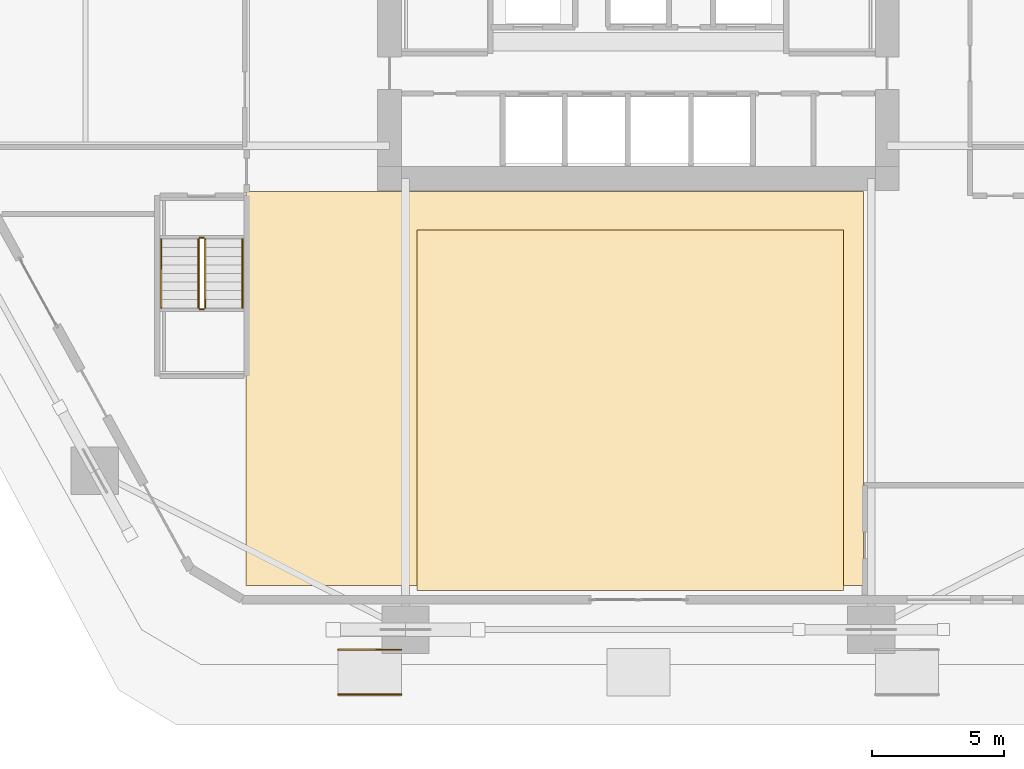
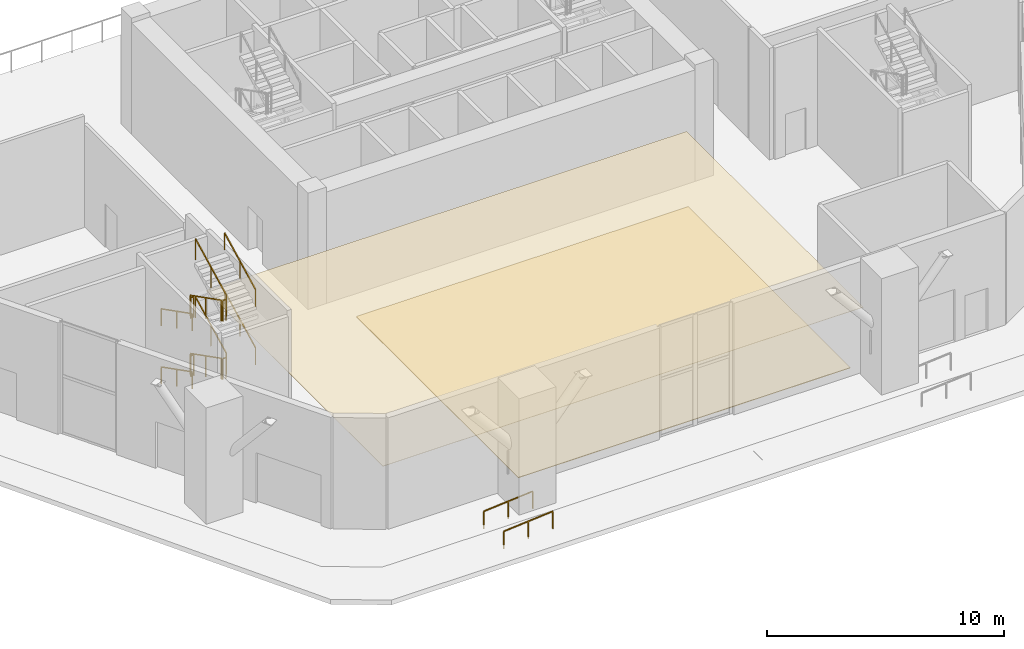
# One storey, part 19 of 22: 14 railings, 2 coverings.
"""IFC4 building model written with IfcOpenShell, lengths in metres."""

import ifcopenshell
import ifcopenshell.guid

model = None  # the IFC model being written
_history = None  # IfcOwnerHistory: only IFC2X3 demands one
_inside = {}  # id of a spatial element -> (the spatial element, [elements in it])
_under = {}  # id of a project, library or spatial element -> (it, [spatial elements below it])
_declared = {}  # id of a project -> (the project, [libraries it declares])
_typed = {}  # id of a type object -> (the type object, [elements of that type])
_made_of = {}  # id of a material, layer set ... -> (it, [elements and type objects made of it])


def new_model(schema):
    """Start an empty IFC model of exactly this schema.

    Asked for "IFC4X3", IfcOpenShell would pick the latest addendum, in which some entities
    have other attributes; the version numbers below select the first issue.
    IFC2X3 requires an IfcOwnerHistory on every rooted entity: one is made here for all.
    """
    global model, _history
    if schema == "IFC4X3":
        model = ifcopenshell.file(schema_version=(4, 3, 0, 0))
    else:
        model = ifcopenshell.file(schema=schema)
    _inside.clear()
    _under.clear()
    _declared.clear()
    _typed.clear()
    _made_of.clear()
    _history = None
    if model.schema == "IFC2X3":
        org = make("IfcOrganization", Name="unknown")
        user = make(
            "IfcPersonAndOrganization",
            ThePerson=make("IfcPerson", FamilyName="unknown"),
            TheOrganization=org,
        )
        app = make(
            "IfcApplication",
            ApplicationDeveloper=org,
            Version="unknown",
            ApplicationFullName="unknown",
            ApplicationIdentifier="unknown",
        )
        _history = make(
            "IfcOwnerHistory",
            OwningUser=user,
            OwningApplication=app,
            ChangeAction="ADDED",
            CreationDate=0,
        )
    return model


def make(cls, **values):
    """One entity of the class cls with the attributes given. An attribute that is None is left unset."""
    return model.create_entity(
        cls, **{name: value for name, value in values.items() if value is not None}
    )


def rooted(cls, **values):
    """An entity with a GlobalId (a new one), such as an element, a storey or a relation."""
    return make(cls, GlobalId=ifcopenshell.guid.new(), OwnerHistory=_history, **values)


def si_unit(unit_type, name, prefix=None):
    """IfcSIUnit, for example si_unit("LENGTHUNIT", "METRE", prefix="MILLI")."""
    return make("IfcSIUnit", UnitType=unit_type, Prefix=prefix, Name=name)


def assignment(units):
    """IfcUnitAssignment: the units of a project."""
    return None if units is None else make("IfcUnitAssignment", Units=units)


def point(xyz):
    """IfcCartesianPoint."""
    return None if xyz is None else make("IfcCartesianPoint", Coordinates=xyz)


def direction(xyz):
    """IfcDirection."""
    return None if xyz is None else make("IfcDirection", DirectionRatios=xyz)


def frame(location, z_axis=None, x_axis=None):
    """IfcAxis2Placement3D, a coordinate frame: its origin and axes. An axis left out is left unset."""
    return make(
        "IfcAxis2Placement3D",
        Location=point(location),
        Axis=direction(z_axis),
        RefDirection=direction(x_axis),
    )


def frame_2d(location, x_axis=None):
    """IfcAxis2Placement2D, a coordinate frame in the plane: its origin and x axis."""
    return make(
        "IfcAxis2Placement2D", Location=point(location), RefDirection=direction(x_axis)
    )


def origin():
    """The frame at (0, 0, 0) with its axes left unset."""
    return frame((0.0, 0.0, 0.0))


def origin_2d():
    """The frame at (0, 0) in the plane with its x axis left unset."""
    return frame_2d((0.0, 0.0))


def place(relative_to, where):
    """IfcLocalPlacement: puts the frame where relative to a parent placement (None: the world)."""
    return make(
        "IfcLocalPlacement", PlacementRelTo=relative_to, RelativePlacement=where
    )


def context(
    kind, dimensions, precision=None, world=None, true_north=None, identifier=None
):
    """IfcGeometricRepresentationContext, for example the 3D "Model" context."""
    return make(
        "IfcGeometricRepresentationContext",
        ContextIdentifier=identifier,
        ContextType=kind,
        CoordinateSpaceDimension=dimensions,
        Precision=precision,
        WorldCoordinateSystem=world,
        TrueNorth=true_north,
    )


def subcontext(parent, identifier, kind, view, scale=None):
    """IfcGeometricRepresentationSubContext, for example "Body" below "Model"."""
    return make(
        "IfcGeometricRepresentationSubContext",
        ContextIdentifier=identifier,
        ContextType=kind,
        ParentContext=parent,
        TargetScale=scale,
        TargetView=view,
    )


def project(units=None, contexts=None):
    """IfcProject with its units and contexts."""
    return rooted(
        "IfcProject",
        Name="project",
        RepresentationContexts=contexts,
        UnitsInContext=assignment(units),
    )


def spatial(cls, under=None, at=None, **own):
    """A site, building, storey or space (cls), placed at a placement, below another one or the project."""
    s = rooted(cls, ObjectPlacement=at, **own)
    if under is not None:
        _under.setdefault(under.id(), (under, []))[1].append(s)
    return s


def polyline(points):
    """IfcPolyline through the points."""
    return make("IfcPolyline", Points=[point(p) for p in points])


def profile(cls, at=None, kind="AREA", **sizes):
    """A parametric profile (cls). Its sizes go by their IFC names, for example OverallWidth=200.0."""
    return make(cls, ProfileType=kind, Position=at, **sizes)


def rectangle(**sizes):
    """IfcRectangleProfileDef."""
    return profile("IfcRectangleProfileDef", **sizes)


def outline(outer, holes=None, kind="AREA"):
    """IfcArbitraryClosedProfileDef: a profile drawn as a closed curve; with holes, ...WithVoids."""
    if holes is None:
        return make("IfcArbitraryClosedProfileDef", ProfileType=kind, OuterCurve=outer)
    return make(
        "IfcArbitraryProfileDefWithVoids",
        ProfileType=kind,
        OuterCurve=outer,
        InnerCurves=holes,
    )


def extrude(swept, where, along, depth):
    """IfcExtrudedAreaSolid: the profile swept, set in the frame where, extruded along a direction by depth."""
    return make(
        "IfcExtrudedAreaSolid",
        SweptArea=swept,
        Position=where,
        ExtrudedDirection=direction(along),
        Depth=depth,
    )


def shape(context_of_items, identifier, shape_type, items):
    """IfcShapeRepresentation: the items that make up one representation, for example the "Body"."""
    return make(
        "IfcShapeRepresentation",
        ContextOfItems=context_of_items,
        RepresentationIdentifier=identifier,
        RepresentationType=shape_type,
        Items=items,
    )


def material(Name=None, Category=None):
    """IfcMaterial."""
    return make("IfcMaterial", Name=Name, Category=Category)


def layer(
    of_material, thickness, ventilated=None, Name=None, Category=None, Priority=None
):
    """IfcMaterialLayer: one layer of a wall or slab, of a material (None: an air gap)."""
    return make(
        "IfcMaterialLayer",
        Material=of_material,
        LayerThickness=thickness,
        IsVentilated=ventilated,
        Name=Name,
        Category=Category,
        Priority=Priority,
    )


def layer_set(layers, Name=None):
    """IfcMaterialLayerSet."""
    return make("IfcMaterialLayerSet", MaterialLayers=layers, LayerSetName=Name)


def made_of(thing, what):
    """Note that an element or type object is made of a material, layer set ...; save() writes the relation."""
    if what is not None:
        _made_of.setdefault(what.id(), (what, []))[1].append(thing)
    return thing


def type_object(cls, material=None, **own):
    """A type object (cls), such as IfcWallType, which elements share."""
    return made_of(rooted(cls, **own), material)


def element(
    cls,
    number,
    at=None,
    inside=None,
    cuts=None,
    type_object=None,
    material=None,
    context=None,
    identifier="Body",
    shape_type=None,
    held_by="IfcProductDefinitionShape",
    body=None,
    shapes=None,
    **own,
):
    """One element of the class cls, such as IfcWall. Its Tag is "e" and its number.

    at: its placement. inside: the storey or other place that contains it. cuts: it is an
    opening in that element (IfcRelVoidsElement). A single representation is given by context,
    identifier, shape_type and body (its items); several are given by shapes. held_by: the class
    of the entity that holds the representations. save() writes the other relations.
    """
    e = rooted(cls, Tag="e%d" % number, ObjectPlacement=at, **own)
    if body is not None:
        shapes = [shape(context, identifier, shape_type, body)]
    if shapes is not None:
        e.Representation = make(held_by, Representations=shapes)
    if inside is not None:
        _inside.setdefault(inside.id(), (inside, []))[1].append(e)
    if cuts is not None:
        rooted(
            "IfcRelVoidsElement", RelatingBuildingElement=cuts, RelatedOpeningElement=e
        )
    if type_object is not None:
        _typed.setdefault(type_object.id(), (type_object, []))[1].append(e)
    return made_of(e, material)


def aggregate(whole, parts):
    """IfcRelAggregates: a whole, such as a stair, and the parts it consists of."""
    return rooted("IfcRelAggregates", RelatingObject=whole, RelatedObjects=parts)


def save(model, path):
    """Write the relations noted so far, then the file.

    IfcRelAggregates (storeys below a building ...), IfcRelContainedInSpatialStructure (elements
    in a storey), IfcRelDefinesByType, IfcRelAssociatesMaterial and IfcRelDeclares: one each for
    every whole, place, type object, material and project.
    """
    for whole, parts in _under.values():
        aggregate(whole, parts)
    for where, things in _inside.values():
        rooted(
            "IfcRelContainedInSpatialStructure",
            RelatedElements=things,
            RelatingStructure=where,
        )
    for kind, things in _typed.values():
        rooted("IfcRelDefinesByType", RelatedObjects=things, RelatingType=kind)
    for what, things in _made_of.values():
        rooted("IfcRelAssociatesMaterial", RelatedObjects=things, RelatingMaterial=what)
    for by, libraries in _declared.values():
        rooted("IfcRelDeclares", RelatingContext=by, RelatedDefinitions=libraries)
    model.write(path)


model = new_model("IFC4")

# Units and contexts
model_context = context("Model", 3, precision=1e-05, world=origin(), true_north=direction((0.0, 1.0)))
body_context = subcontext(model_context, "Body", "Model", "MODEL_VIEW")
ifc_project = project(units=[si_unit("LENGTHUNIT", "METRE"), si_unit("AREAUNIT", "SQUARE_METRE"), si_unit("VOLUMEUNIT", "CUBIC_METRE"), si_unit("PLANEANGLEUNIT", "RADIAN"), si_unit("MASSUNIT", "GRAM", prefix="KILO")], contexts=[model_context])

# Site, building, storey
site_placement = place(None, origin())
site = spatial("IfcSite", under=ifc_project, at=site_placement, CompositionType="ELEMENT")
building_placement = place(site_placement, origin())
building = spatial("IfcBuilding", under=site, at=building_placement, Name="Cinnabar Lancet Tower", CompositionType="ELEMENT")
storey_placement = place(building_placement, origin())
storey = spatial("IfcBuildingStorey", under=building, at=storey_placement, Name="L00", CompositionType="ELEMENT", Elevation=0.0)

# Coverings
ifc_material_1 = material(Name="Acoustic perforated gypsum ceiling board", Category="finish")
ifc_layer_1 = layer(ifc_material_1, 0.01806640625)
ifc_layer_set_1 = layer_set([ifc_layer_1], Name="Acoustic perforated gypsum ceiling board")
covering_type_1 = type_object("IfcCoveringType", Name="ARC-COV-CEIL-GYP", PredefinedType="CEILING", material=ifc_layer_set_1)
covering_1_placement = place(storey_placement, frame((0.0, 0.0, 2.75)))
element("IfcCovering", 1, at=covering_1_placement, inside=storey, type_object=covering_type_1, Name="L00 Suspended Acoustic Ceiling", PredefinedType="CEILING", context=body_context, shape_type="SweptSolid", body=[
    extrude(outline(polyline([(17.5, 3.0), (40.949951171875, 3.0), (40.949951171875, 17.949951171875), (17.5, 17.949951171875), (17.5, 3.0)])), origin(), (0.0, 0.0, 1.0), 0.01806640625),
])
ifc_material_2 = material(Name="Honed Malaysian granite stone flooring", Category="masonry")
ifc_layer_2 = layer(ifc_material_2, 0.030029296875)
ifc_layer_set_2 = layer_set([ifc_layer_2], Name="Honed Malaysian granite stone flooring")
covering_type_2 = type_object("IfcCoveringType", Name="ARC-COV-FLR-STN", PredefinedType="FLOORING", material=ifc_layer_set_2)
covering_2_placement = place(storey_placement, origin())
element("IfcCovering", 2, at=covering_2_placement, inside=storey, type_object=covering_type_2, Name="L00 Architectural Floor Finish", PredefinedType="FLOORING", context=body_context, shape_type="SweptSolid", body=[
    extrude(outline(polyline([(24.0, 2.800048828125), (40.199951171875, 2.800048828125), (40.199951171875, 16.5), (24.0, 16.5), (24.0, 2.800048828125)])), origin(), (0.0, 0.0, 1.0), 0.030029296875),
])

# Railings
ifc_material_3 = material(Name="Painted galvanized steel balustrade", Category="steel")
railing_type_1 = type_object("IfcRailingType", Name="GUARD-STAIR", PredefinedType="GUARDRAIL", material=ifc_material_3)
railing_1_placement = place(storey_placement, frame((15.695068359375, 16.14990234375, 0.166748046875)))
element("IfcRailing", 3, at=railing_1_placement, inside=storey, type_object=railing_type_1, Name="L00 ST-3 stair guard 1", PredefinedType="GUARDRAIL", context=body_context, shape_type="SweptSolid", body=[
    extrude(rectangle(XDim=0.048095703125, YDim=0.048095703125, at=origin_2d()), frame((0.0, 0.0, 1.076171875), z_axis=(0.0, -0.890838150125, 0.454320801067), x_axis=(1.0, 0.0, 0.0)), (0.0, 0.0, 1.0), 2.9345703125),
    extrude(rectangle(XDim=0.0419921875, YDim=0.0419921875, at=origin_2d()), origin(), (0.0, 0.0, 1.0), 1.052001953125),
    extrude(rectangle(XDim=0.0419921875, YDim=0.0419921875, at=origin_2d()), frame((0.0, -1.30712890625, 0.66650390625)), (0.0, 0.0, 1.0), 1.052001953125),
    extrude(rectangle(XDim=0.0419921875, YDim=0.0419921875, at=origin_2d()), frame((0.0, -2.6142578125, 1.333251953125)), (0.0, 0.0, 1.0), 1.052001953125),
])
railing_2_placement = place(storey_placement, frame((15.7451171875, 13.485595703125, 1.5)))
element("IfcRailing", 4, at=railing_2_placement, inside=storey, type_object=railing_type_1, Name="L00 ST-3 stair guard 2", PredefinedType="GUARDRAIL", context=body_context, shape_type="SweptSolid", body=[
    extrude(rectangle(XDim=0.048095703125, YDim=0.048095703125, at=origin_2d()), frame((0.0, 0.0, 1.076171875), z_axis=(1.0, 0.0, 0.0), x_axis=(0.0, 1.0, 0.0)), (0.0, 0.0, 1.0), 0.14990234375),
    extrude(rectangle(XDim=0.0419921875, YDim=0.0419921875, at=origin_2d()), origin(), (0.0, 0.0, 1.0), 1.052001953125),
    extrude(rectangle(XDim=0.0419921875, YDim=0.0419921875, at=origin_2d()), frame((0.14990234375, 0.0, 0.0)), (0.0, 0.0, 1.0), 1.052001953125),
])
railing_3_placement = place(storey_placement, frame((15.945068359375, 13.53564453125, 1.666748046875)))
element("IfcRailing", 5, at=railing_3_placement, inside=storey, type_object=railing_type_1, Name="L00 ST-3 stair guard 3", PredefinedType="GUARDRAIL", context=body_context, shape_type="SweptSolid", body=[
    extrude(rectangle(XDim=0.048095703125, YDim=0.048095703125, at=origin_2d()), frame((0.0, 0.0, 1.076171875), z_axis=(0.0, 0.890838150125, 0.454320801067), x_axis=(-1.0, 0.0, 0.0)), (0.0, 0.0, 1.0), 2.9345703125),
    extrude(rectangle(XDim=0.0419921875, YDim=0.0419921875, at=origin_2d()), origin(), (0.0, 0.0, 1.0), 1.052001953125),
    extrude(rectangle(XDim=0.0419921875, YDim=0.0419921875, at=origin_2d()), frame((0.0, 1.30712890625, 0.66650390625)), (0.0, 0.0, 1.0), 1.052001953125),
    extrude(rectangle(XDim=0.0419921875, YDim=0.0419921875, at=origin_2d()), frame((0.0, 2.6142578125, 1.333251953125)), (0.0, 0.0, 1.0), 1.052001953125),
])
railing_4_placement = place(storey_placement, frame((15.7451171875, 16.199951171875, 3.0)))
element("IfcRailing", 6, at=railing_4_placement, inside=storey, type_object=railing_type_1, Name="L00 ST-3 stair guard 4", PredefinedType="GUARDRAIL", context=body_context, shape_type="SweptSolid", body=[
    extrude(rectangle(XDim=0.048095703125, YDim=0.048095703125, at=origin_2d()), frame((0.0, 0.0, 1.076171875), z_axis=(1.0, 0.0, 0.0), x_axis=(0.0, 1.0, 0.0)), (0.0, 0.0, 1.0), 0.14990234375),
    extrude(rectangle(XDim=0.0419921875, YDim=0.0419921875, at=origin_2d()), origin(), (0.0, 0.0, 1.0), 1.052001953125),
    extrude(rectangle(XDim=0.0419921875, YDim=0.0419921875, at=origin_2d()), frame((0.14990234375, 0.0, 0.0)), (0.0, 0.0, 1.0), 1.052001953125),
])
railing_5_placement = place(storey_placement, frame((15.695068359375, 16.14990234375, 3.166748046875)))
element("IfcRailing", 7, at=railing_5_placement, inside=storey, type_object=railing_type_1, Name="L00 ST-3 stair guard 5", PredefinedType="GUARDRAIL", context=body_context, shape_type="SweptSolid", body=[
    extrude(rectangle(XDim=0.048095703125, YDim=0.048095703125, at=origin_2d()), frame((0.0, 0.0, 1.076171875), z_axis=(0.0, -0.890838150125, 0.454320801067), x_axis=(1.0, 0.0, 0.0)), (0.0, 0.0, 1.0), 2.9345703125),
    extrude(rectangle(XDim=0.0419921875, YDim=0.0419921875, at=origin_2d()), origin(), (0.0, 0.0, 1.0), 1.052001953125),
    extrude(rectangle(XDim=0.0419921875, YDim=0.0419921875, at=origin_2d()), frame((0.0, -1.30712890625, 0.66650390625)), (0.0, 0.0, 1.0), 1.052001953125),
    extrude(rectangle(XDim=0.0419921875, YDim=0.0419921875, at=origin_2d()), frame((0.0, -2.6142578125, 1.333251953125)), (0.0, 0.0, 1.0), 1.052001953125),
])
railing_6_placement = place(storey_placement, frame((15.7451171875, 13.485595703125, 4.5)))
element("IfcRailing", 8, at=railing_6_placement, inside=storey, type_object=railing_type_1, Name="L00 ST-3 stair guard 6", PredefinedType="GUARDRAIL", context=body_context, shape_type="SweptSolid", body=[
    extrude(rectangle(XDim=0.048095703125, YDim=0.048095703125, at=origin_2d()), frame((0.0, 0.0, 1.076171875), z_axis=(1.0, 0.0, 0.0), x_axis=(0.0, 1.0, 0.0)), (0.0, 0.0, 1.0), 0.14990234375),
    extrude(rectangle(XDim=0.0419921875, YDim=0.0419921875, at=origin_2d()), origin(), (0.0, 0.0, 1.0), 1.052001953125),
    extrude(rectangle(XDim=0.0419921875, YDim=0.0419921875, at=origin_2d()), frame((0.14990234375, 0.0, 0.0)), (0.0, 0.0, 1.0), 1.052001953125),
])
railing_7_placement = place(storey_placement, frame((15.945068359375, 13.53564453125, 4.666748046875)))
element("IfcRailing", 9, at=railing_7_placement, inside=storey, type_object=railing_type_1, Name="L00 ST-3 stair guard 7", PredefinedType="GUARDRAIL", context=body_context, shape_type="SweptSolid", body=[
    extrude(rectangle(XDim=0.048095703125, YDim=0.048095703125, at=origin_2d()), frame((0.0, 0.0, 1.076171875), z_axis=(0.0, 0.890838150125, 0.454320801067), x_axis=(-1.0, 0.0, 0.0)), (0.0, 0.0, 1.0), 2.9345703125),
    extrude(rectangle(XDim=0.0419921875, YDim=0.0419921875, at=origin_2d()), origin(), (0.0, 0.0, 1.0), 1.052001953125),
    extrude(rectangle(XDim=0.0419921875, YDim=0.0419921875, at=origin_2d()), frame((0.0, 1.30712890625, 0.66650390625)), (0.0, 0.0, 1.0), 1.052001953125),
    extrude(rectangle(XDim=0.0419921875, YDim=0.0419921875, at=origin_2d()), frame((0.0, 2.6142578125, 1.333251953125)), (0.0, 0.0, 1.0), 1.052001953125),
])
railing_8_placement = place(storey_placement, frame((15.7451171875, 16.199951171875, 0.0)))
element("IfcRailing", 10, at=railing_8_placement, inside=storey, type_object=railing_type_1, Name="L00 ST-3 stair guard 8", PredefinedType="GUARDRAIL", context=body_context, shape_type="SweptSolid", body=[
    extrude(rectangle(XDim=0.048095703125, YDim=0.048095703125, at=origin_2d()), frame((0.0, 0.0, 1.076171875), z_axis=(1.0, 0.0, 0.0), x_axis=(0.0, 1.0, 0.0)), (0.0, 0.0, 1.0), 0.14990234375),
    extrude(rectangle(XDim=0.0419921875, YDim=0.0419921875, at=origin_2d()), origin(), (0.0, 0.0, 1.0), 1.052001953125),
    extrude(rectangle(XDim=0.0419921875, YDim=0.0419921875, at=origin_2d()), frame((0.14990234375, 0.0, 0.0)), (0.0, 0.0, 1.0), 1.052001953125),
])
ifc_material_4 = material(Name="Brushed stainless steel handrail", Category="steel")
railing_type_2 = type_object("IfcRailingType", Name="HANDRAIL-RAMP", PredefinedType="HANDRAIL", material=ifc_material_4)
for number, where, name in (
    (11, (21.0, -1.14990234375, -0.199951171875), "Accessible Ramp AR-01 Handrail A"),
    (12, (21.0, 0.550048828125, -0.199951171875), "Accessible Ramp AR-01 Handrail B"),
):
    element("IfcRailing", number, at=place(storey_placement, frame(where)), inside=storey, type_object=railing_type_2, Name=name, PredefinedType="HANDRAIL", context=body_context, shape_type="SweptSolid", body=[
        extrude(rectangle(XDim=0.048095703125, YDim=0.048095703125, at=origin_2d()), frame((0.0, 0.0, 0.89599609375), z_axis=(0.996547156423, 0.0, 0.083028700011), x_axis=(0.0, 1.0, 0.0)), (0.0, 0.0, 1.0), 2.408203125),
        extrude(rectangle(XDim=0.0419921875, YDim=0.0419921875, at=origin_2d()), origin(), (0.0, 0.0, 1.0), 0.871826171875),
        extrude(rectangle(XDim=0.0419921875, YDim=0.0419921875, at=origin_2d()), frame((1.199951171875, 0.0, 0.10009765625)), (0.0, 0.0, 1.0), 0.871826171875),
        extrude(rectangle(XDim=0.0419921875, YDim=0.0419921875, at=origin_2d()), frame((2.39990234375, 0.0, 0.199951171875)), (0.0, 0.0, 1.0), 0.871826171875),
    ])
ifc_material_5 = material(Name="Brushed stainless steel handrail", Category="steel")
railing_type_3 = type_object("IfcRailingType", Name="HANDRAIL-STAIR", PredefinedType="HANDRAIL", material=ifc_material_5)
railing_9_placement = place(storey_placement, frame((14.27490234375, 16.14990234375, 0.166748046875)))
element("IfcRailing", 13, at=railing_9_placement, inside=storey, type_object=railing_type_3, Name="L00 ST-3 stair handrail 1", PredefinedType="HANDRAIL", context=body_context, shape_type="SweptSolid", body=[
    extrude(rectangle(XDim=0.048095703125, YDim=0.048095703125, at=origin_2d()), frame((0.0, 0.0, 0.8759765625), z_axis=(0.0, -0.890838150125, 0.454320801067), x_axis=(1.0, 0.0, 0.0)), (0.0, 0.0, 1.0), 2.9345703125),
    extrude(rectangle(XDim=0.0419921875, YDim=0.0419921875, at=origin_2d()), origin(), (0.0, 0.0, 1.0), 0.851806640625),
    extrude(rectangle(XDim=0.0419921875, YDim=0.0419921875, at=origin_2d()), frame((0.0, -1.30712890625, 0.66650390625)), (0.0, 0.0, 1.0), 0.851806640625),
    extrude(rectangle(XDim=0.0419921875, YDim=0.0419921875, at=origin_2d()), frame((0.0, -2.6142578125, 1.333251953125)), (0.0, 0.0, 1.0), 0.851806640625),
])
railing_10_placement = place(storey_placement, frame((17.364990234375, 13.53564453125, 1.666748046875)))
element("IfcRailing", 14, at=railing_10_placement, inside=storey, type_object=railing_type_3, Name="L00 ST-3 stair handrail 2", PredefinedType="HANDRAIL", context=body_context, shape_type="SweptSolid", body=[
    extrude(rectangle(XDim=0.048095703125, YDim=0.048095703125, at=origin_2d()), frame((0.0, 0.0, 0.8759765625), z_axis=(0.0, 0.890838150125, 0.454320801067), x_axis=(-1.0, 0.0, 0.0)), (0.0, 0.0, 1.0), 2.9345703125),
    extrude(rectangle(XDim=0.0419921875, YDim=0.0419921875, at=origin_2d()), origin(), (0.0, 0.0, 1.0), 0.851806640625),
    extrude(rectangle(XDim=0.0419921875, YDim=0.0419921875, at=origin_2d()), frame((0.0, 1.30712890625, 0.66650390625)), (0.0, 0.0, 1.0), 0.851806640625),
    extrude(rectangle(XDim=0.0419921875, YDim=0.0419921875, at=origin_2d()), frame((0.0, 2.6142578125, 1.333251953125)), (0.0, 0.0, 1.0), 0.851806640625),
])
railing_11_placement = place(storey_placement, frame((14.27490234375, 16.14990234375, 3.166748046875)))
element("IfcRailing", 15, at=railing_11_placement, inside=storey, type_object=railing_type_3, Name="L00 ST-3 stair handrail 3", PredefinedType="HANDRAIL", context=body_context, shape_type="SweptSolid", body=[
    extrude(rectangle(XDim=0.048095703125, YDim=0.048095703125, at=origin_2d()), frame((0.0, 0.0, 0.8759765625), z_axis=(0.0, -0.890838150125, 0.454320801067), x_axis=(1.0, 0.0, 0.0)), (0.0, 0.0, 1.0), 2.9345703125),
    extrude(rectangle(XDim=0.0419921875, YDim=0.0419921875, at=origin_2d()), origin(), (0.0, 0.0, 1.0), 0.851806640625),
    extrude(rectangle(XDim=0.0419921875, YDim=0.0419921875, at=origin_2d()), frame((0.0, -1.30712890625, 0.66650390625)), (0.0, 0.0, 1.0), 0.851806640625),
    extrude(rectangle(XDim=0.0419921875, YDim=0.0419921875, at=origin_2d()), frame((0.0, -2.6142578125, 1.333251953125)), (0.0, 0.0, 1.0), 0.851806640625),
])
railing_12_placement = place(storey_placement, frame((17.364990234375, 13.53564453125, 4.666748046875)))
element("IfcRailing", 16, at=railing_12_placement, inside=storey, type_object=railing_type_3, Name="L00 ST-3 stair handrail 4", PredefinedType="HANDRAIL", context=body_context, shape_type="SweptSolid", body=[
    extrude(rectangle(XDim=0.048095703125, YDim=0.048095703125, at=origin_2d()), frame((0.0, 0.0, 0.8759765625), z_axis=(0.0, 0.890838150125, 0.454320801067), x_axis=(-1.0, 0.0, 0.0)), (0.0, 0.0, 1.0), 2.9345703125),
    extrude(rectangle(XDim=0.0419921875, YDim=0.0419921875, at=origin_2d()), origin(), (0.0, 0.0, 1.0), 0.851806640625),
    extrude(rectangle(XDim=0.0419921875, YDim=0.0419921875, at=origin_2d()), frame((0.0, 1.30712890625, 0.66650390625)), (0.0, 0.0, 1.0), 0.851806640625),
    extrude(rectangle(XDim=0.0419921875, YDim=0.0419921875, at=origin_2d()), frame((0.0, 2.6142578125, 1.333251953125)), (0.0, 0.0, 1.0), 0.851806640625),
])

save(model, "model.ifc")
